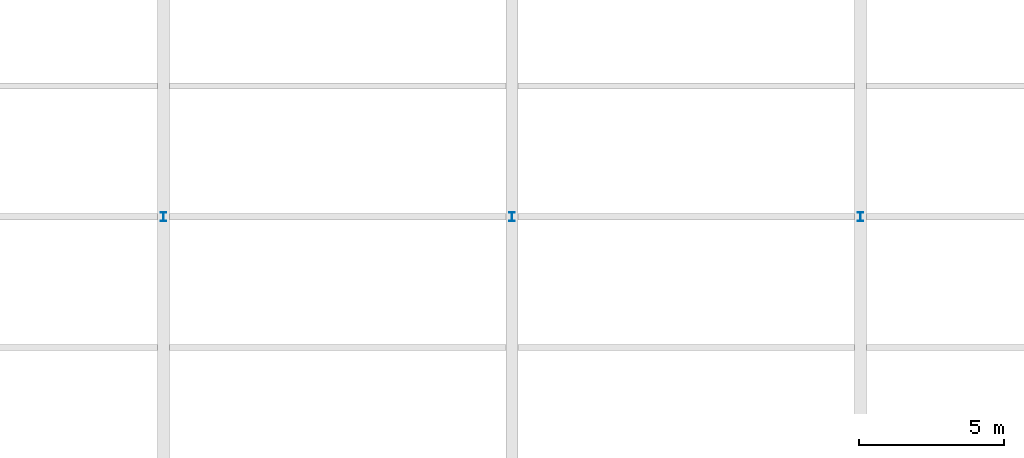
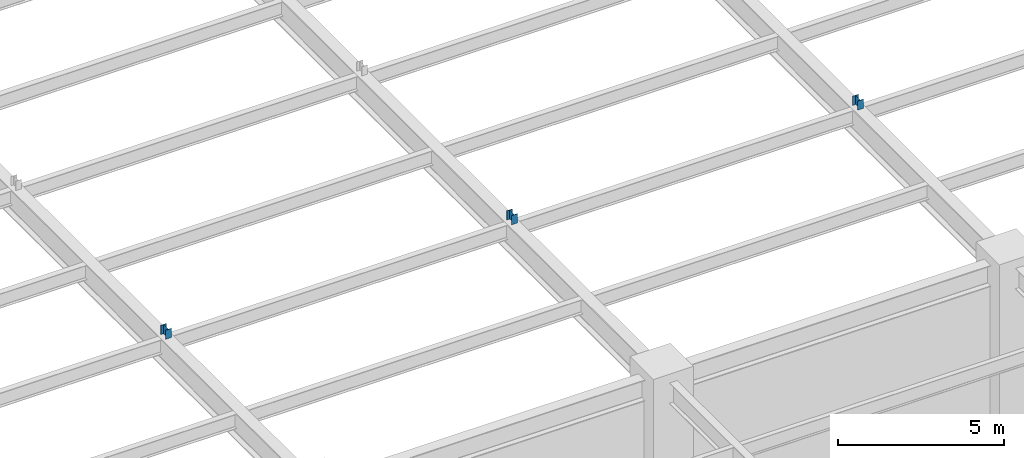
# One storey, part 74 of 105: 3 members.
"""IFC4 building model written with IfcOpenShell, lengths in metres."""

from ifc_helpers import new_model, si_unit, direction, frame, origin, origin_2d, place, context, subcontext, project, spatial, i_section, extrude, material, material_profile, profile_set, type_object, element, save


model = new_model("IFC4")

# Units and contexts
model_context = context("Model", 3, precision=1e-05, world=origin(), true_north=direction((0.0, 1.0)))
body_context = subcontext(model_context, "Body", "Model", "MODEL_VIEW")
ifc_project = project(units=[si_unit("LENGTHUNIT", "METRE"), si_unit("AREAUNIT", "SQUARE_METRE"), si_unit("VOLUMEUNIT", "CUBIC_METRE"), si_unit("PLANEANGLEUNIT", "RADIAN"), si_unit("MASSUNIT", "GRAM", prefix="KILO")], contexts=[model_context])

# Site, building, storey
site_placement = place(None, origin())
site = spatial("IfcSite", under=ifc_project, at=site_placement, CompositionType="ELEMENT")
building_placement = place(site_placement, origin())
building = spatial("IfcBuilding", under=site, at=building_placement, Name="Kaldorvane Square Convention Centre", CompositionType="ELEMENT")
storey_placement = place(building_placement, frame((0.0, 0.0, 6.0)))
storey = spatial("IfcBuildingStorey", under=building, at=storey_placement, Name="L01", CompositionType="ELEMENT", Elevation=6.0)

# Members
ifc_material = material(Name="Steel ASTM A992 Gr. 50", Category="steel")
ifc_material_profile = material_profile(ifc_material, i_section(OverallWidth=0.2032928466796875, OverallDepth=0.3032989501953125, WebThickness=0.00750732421875, FlangeThickness=0.0131072998046875, FilletRadius=0.01019287109375, at=origin_2d()), Name="W12X40")
ifc_profile_set = profile_set([ifc_material_profile], Name="Steel ASTM A992 Gr. 50")
member_type = type_object("IfcMemberType", Name="MB-HG-W12X40", PredefinedType="POST", material=ifc_profile_set)
for number, where, z_axis, x_axis, name in (
    (1, (66.0, 27.0, 5.675994873046875), (0.0, 0.0, 1.0), (1.0, 0.0, 0.0), "Exhibition Hall Ceiling Girder HG-04 Hanger 1"),
    (2, (78.0, 27.0, 5.675994873046875), (0.0, 0.0, 1.0), (1.0, 0.0, 0.0), "Exhibition Hall Ceiling Girder HG-05 Hanger 1"),
    (3, (90.0, 27.0, 5.675994873046875), (0.0, 0.0, 1.0), (1.0, 0.0, 0.0), "Exhibition Hall Ceiling Girder HG-06 Hanger 1"),
):
    element("IfcMember", number, at=place(storey_placement, frame(where, z_axis=z_axis, x_axis=x_axis)), inside=storey, type_object=member_type, Name=name, PredefinedType="POST", context=body_context, shape_type="SweptSolid", body=[
        extrude(i_section(OverallWidth=0.2032928466796875, OverallDepth=0.3032989501953125, WebThickness=0.00750732421875, FlangeThickness=0.0131072998046875, FilletRadius=0.01019287109375, at=origin_2d()), origin(), (0.0, 0.0, 1.0), 0.3332977294921875),
    ])

save(model, "model.ifc")
